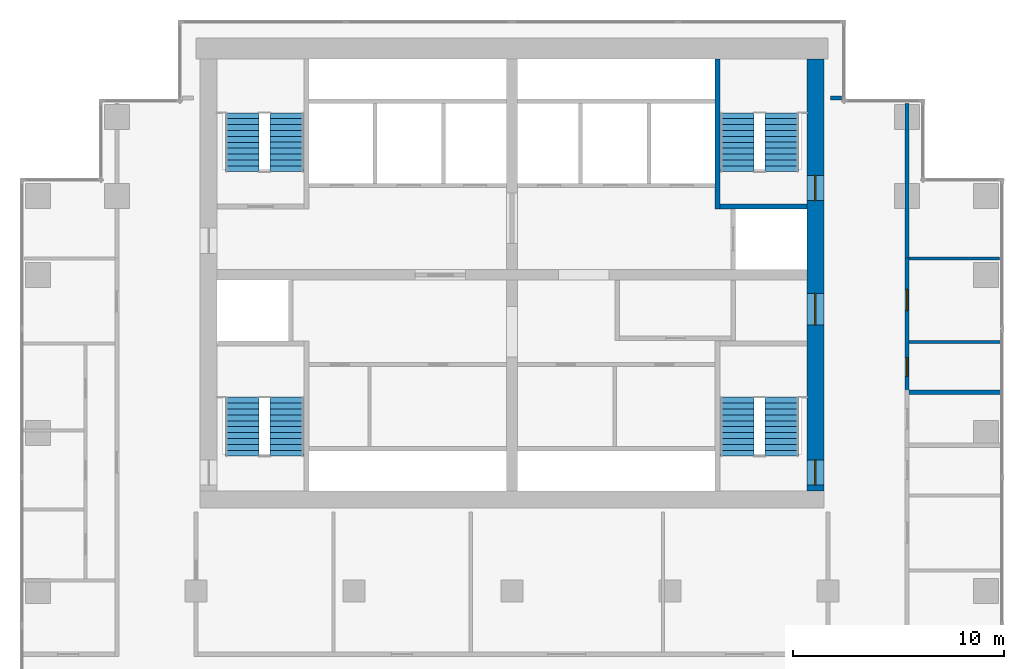
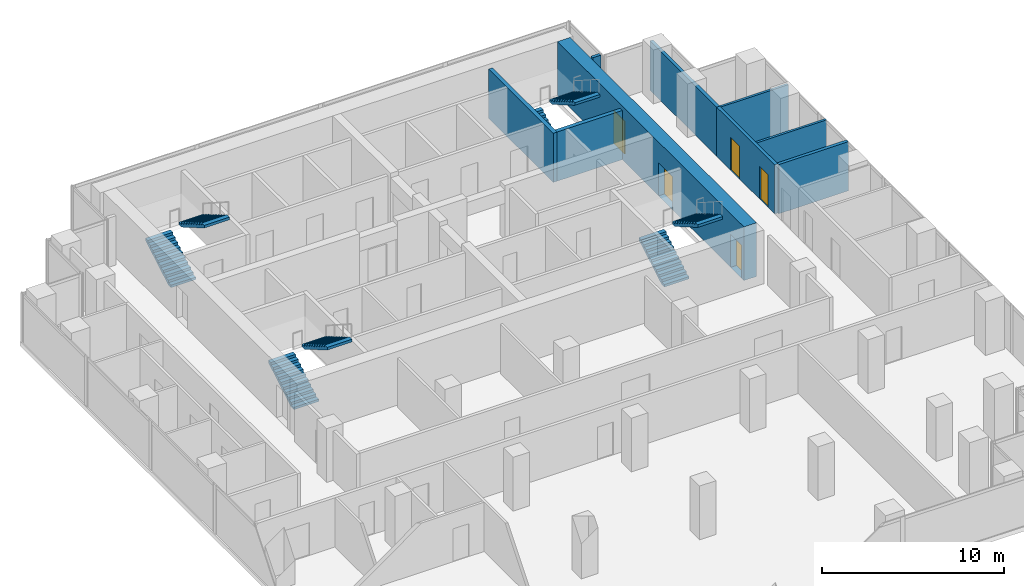
# One storey, part 9 of 10: 9 walls, 8 stair flights, 5 doors, 5 openings, 4 elements without a shape of their own.
"""IFC4 building model written with IfcOpenShell, lengths in metres."""

from ifc_helpers import new_model, si_unit, direction, frame, frame_2d, origin, place, context, subcontext, project, spatial, polyline, rectangle, outline, extrude, material, layer, layer_set, type_object, element, fill, aggregate, save


model = new_model("IFC4")

# Units and contexts
model_context = context("Model", 3, precision=1e-05, world=origin(), true_north=direction((0.0, 1.0)))
body_context = subcontext(model_context, "Body", "Model", "MODEL_VIEW")
ifc_project = project(units=[si_unit("LENGTHUNIT", "METRE"), si_unit("AREAUNIT", "SQUARE_METRE"), si_unit("VOLUMEUNIT", "CUBIC_METRE"), si_unit("PLANEANGLEUNIT", "RADIAN"), si_unit("MASSUNIT", "GRAM", prefix="KILO")], contexts=[model_context])

# Site, building, storey
site_placement = place(None, origin())
site = spatial("IfcSite", under=ifc_project, at=site_placement, CompositionType="ELEMENT")
building_placement = place(site_placement, origin())
building = spatial("IfcBuilding", under=site, at=building_placement, Name="Pilkhan Gate Tower", CompositionType="ELEMENT")
storey_placement = place(building_placement, frame((0.0, 0.0, 154.89990234375)))
storey = spatial("IfcBuildingStorey", under=building, at=storey_placement, Name="L39", CompositionType="ELEMENT", Elevation=154.89990234375)

# Wall, openings, doors
ifc_material_1 = material(Name="Concrete C60/75", Category="concrete")
ifc_layer_1 = layer(ifc_material_1, 0.800048828125)
ifc_layer_set_1 = layer_set([ifc_layer_1], Name="Core wall CW800 C60/75")
wall_type_1 = type_object("IfcWallType", Name="Core wall CW800 C60/75", PredefinedType="SHEAR", material=ifc_layer_set_1)
wall_1_placement = place(storey_placement, frame((89.39990234375, 72.25, 0.0), z_axis=(0.0, 0.0, 1.0), x_axis=(0.0, 1.0, 0.0)))
wall_1 = element("IfcWall", 1, at=wall_1_placement, inside=storey, type_object=wall_type_1, Name="Core wall E L39", PredefinedType="SHEAR", context=body_context, shape_type="SweptSolid", body=[
    extrude(rectangle(XDim=20.5, YDim=0.800048828125, at=frame_2d((10.25, 0.0))), origin(), (0.0, 0.0, 1.0), 3.60009765625),
])
opening_1_placement = place(wall_1_placement, frame((0.27490234375, 0.0, 0.0)))
opening_1 = element("IfcOpeningElement", 2, at=opening_1_placement, cuts=wall_1, Name="Opening L39-03", PredefinedType="OPENING", context=body_context, shape_type="SweptSolid", body=[
    extrude(rectangle(XDim=1.199951171875, YDim=2.199951171875, at=frame_2d((0.60009765625, 1.10009765625))), frame((0.0, 0.409912109375, 0.0), z_axis=(0.0, -1.0, 0.0), x_axis=(1.0, 0.0, 0.0)), (0.0, 0.0, 1.0), 0.820068359375),
])
opening_2_placement = place(wall_1_placement, frame((13.77490234375, 0.0, 0.0)))
opening_2 = element("IfcOpeningElement", 3, at=opening_2_placement, cuts=wall_1, Name="Opening L39-05", PredefinedType="OPENING", context=body_context, shape_type="SweptSolid", body=[
    extrude(rectangle(XDim=1.199951171875, YDim=2.199951171875, at=frame_2d((0.60009765625, 1.10009765625))), frame((0.0, 0.409912109375, 0.0), z_axis=(0.0, -1.0, 0.0), x_axis=(1.0, 0.0, 0.0)), (0.0, 0.0, 1.0), 0.820068359375),
])
opening_3_placement = place(wall_1_placement, frame((7.875, 0.0, 0.0)))
opening_3 = element("IfcOpeningElement", 4, at=opening_3_placement, cuts=wall_1, Name="Opening L39-11", PredefinedType="OPENING", context=body_context, shape_type="SweptSolid", body=[
    extrude(rectangle(XDim=1.5, YDim=2.199951171875, at=frame_2d((0.75, 1.10009765625))), frame((0.0, 0.409912109375, 0.0), z_axis=(0.0, -1.0, 0.0), x_axis=(1.0, 0.0, 0.0)), (0.0, 0.0, 1.0), 0.820068359375),
])
ifc_material_2 = material(Name="Steel framed glazed door, 60 minute fire resisting", Category="steel")
door_type_1 = type_object("IfcDoorType", Name="Lobby door D09 1500x2200", OperationType="DOUBLE_DOOR_SINGLE_SWING", PredefinedType="DOOR", material=ifc_material_2)
door_1_placement = place(opening_3_placement, origin())
door_1 = element("IfcDoor", 5, at=door_1_placement, inside=storey, type_object=door_type_1, Name="Core door", OperationType="DOUBLE_DOOR_SINGLE_SWING", OverallHeight=2.199951171875, OverallWidth=1.5, PredefinedType="DOOR", context=body_context, shape_type="SweptSolid", body=[
    extrude(rectangle(XDim=1.5, YDim=2.199951171875, at=frame_2d((0.75, 1.10009765625))), frame((0.0, 0.02490234375, 0.0), z_axis=(0.0, -1.0, 0.0), x_axis=(1.0, 0.0, 0.0)), (0.0, 0.0, 1.0), 0.050048828125),
])
fill(opening_3, door_1)
ifc_material_3 = material(Name="Steel door, 120 minute fire resisting, panic bar", Category="steel")
door_type_2 = type_object("IfcDoorType", Name="Stair door D11 1200x2200", OperationType="SINGLE_SWING_LEFT", PredefinedType="DOOR", material=ifc_material_3)
door_2_placement = place(opening_1_placement, origin())
door_2 = element("IfcDoor", 6, at=door_2_placement, inside=storey, type_object=door_type_2, Name="Stair ST1 door", OperationType="SINGLE_SWING_LEFT", OverallHeight=2.199951171875, OverallWidth=1.199951171875, PredefinedType="DOOR", context=body_context, shape_type="SweptSolid", body=[
    extrude(rectangle(XDim=1.199951171875, YDim=2.199951171875, at=frame_2d((0.60009765625, 1.10009765625))), frame((0.0, 0.02490234375, 0.0), z_axis=(0.0, -1.0, 0.0), x_axis=(1.0, 0.0, 0.0)), (0.0, 0.0, 1.0), 0.050048828125),
])
fill(opening_1, door_2)
door_3_placement = place(opening_2_placement, origin())
door_3 = element("IfcDoor", 7, at=door_3_placement, inside=storey, type_object=door_type_2, Name="Stair ST4 door", OperationType="SINGLE_SWING_LEFT", OverallHeight=2.199951171875, OverallWidth=1.199951171875, PredefinedType="DOOR", context=body_context, shape_type="SweptSolid", body=[
    extrude(rectangle(XDim=1.199951171875, YDim=2.199951171875, at=frame_2d((0.60009765625, 1.10009765625))), frame((0.0, 0.02490234375, 0.0), z_axis=(0.0, -1.0, 0.0), x_axis=(1.0, 0.0, 0.0)), (0.0, 0.0, 1.0), 0.050048828125),
])
fill(opening_2, door_3)

# Wall
ifc_material_4 = material(Name="Dense blockwork", Category="masonry")
ifc_layer_2 = layer(ifc_material_4, 0.199951171875)
ifc_layer_set_2 = layer_set([ifc_layer_2], Name="Corridor wall FW200")
wall_type_2 = type_object("IfcWallType", Name="Corridor wall FW200", PredefinedType="PARTITIONING", material=ifc_layer_set_2)
wall_2_placement = place(storey_placement, frame((90.1201171875, 90.89990234375, 0.0), z_axis=(0.0, 0.0, 1.0), x_axis=(1.0, 0.0, 0.0)))
element("IfcWall", 8, at=wall_2_placement, inside=storey, type_object=wall_type_2, Name="Partition L39", PredefinedType="PARTITIONING", context=body_context, shape_type="SweptSolid", body=[
    extrude(rectangle(XDim=0.52490234375, YDim=0.199951171875, at=frame_2d((0.262451171875, 0.0))), origin(), (0.0, 0.0, 1.0), 3.300048828125),
])

# Wall, openings, doors
wall_3_placement = place(storey_placement, frame((93.75, 76.931884765625, 0.0), z_axis=(0.0, 0.0, 1.0), x_axis=(0.0, 1.0, 0.0)))
wall_3 = element("IfcWall", 9, at=wall_3_placement, inside=storey, type_object=wall_type_2, Name="Partition L39", PredefinedType="PARTITIONING", context=body_context, shape_type="SweptSolid", body=[
    extrude(rectangle(XDim=6.423095703125, YDim=0.199951171875, at=frame_2d((3.21142578125, 0.0))), origin(), (0.0, 0.0, 1.0), 3.300048828125),
])
opening_4_placement = place(wall_3_placement, frame((0.75, 0.0, 0.0)))
opening_4 = element("IfcOpeningElement", 10, at=opening_4_placement, cuts=wall_3, Name="Opening L39-29", PredefinedType="OPENING", context=body_context, shape_type="SweptSolid", body=[
    extrude(rectangle(XDim=0.89990234375, YDim=2.199951171875, at=frame_2d((0.449951171875, 1.10009765625))), frame((0.0, 0.10986328125, 0.0), z_axis=(0.0, -1.0, 0.0), x_axis=(1.0, 0.0, 0.0)), (0.0, 0.0, 1.0), 0.219970703125),
])
opening_5_placement = place(wall_3_placement, frame((3.8798828125, 0.0, 0.0)))
opening_5 = element("IfcOpeningElement", 11, at=opening_5_placement, cuts=wall_3, Name="Opening L39-30", PredefinedType="OPENING", context=body_context, shape_type="SweptSolid", body=[
    extrude(rectangle(XDim=1.0, YDim=2.199951171875, at=frame_2d((0.5, 1.10009765625))), frame((0.0, 0.10986328125, 0.0), z_axis=(0.0, -1.0, 0.0), x_axis=(1.0, 0.0, 0.0)), (0.0, 0.0, 1.0), 0.219970703125),
])
ifc_material_5 = material(Name="Timber flush door, 30 minute fire resisting", Category="wood")
door_type_3 = type_object("IfcDoorType", Name="Room door D03 1000x2200", OperationType="SINGLE_SWING_LEFT", PredefinedType="DOOR", material=ifc_material_5)
door_4_placement = place(opening_5_placement, origin())
door_4 = element("IfcDoor", 12, at=door_4_placement, inside=storey, type_object=door_type_3, Name="Room door", OperationType="SINGLE_SWING_LEFT", OverallHeight=2.199951171875, OverallWidth=1.0, PredefinedType="DOOR", context=body_context, shape_type="SweptSolid", body=[
    extrude(rectangle(XDim=1.0, YDim=2.199951171875, at=frame_2d((0.5, 1.10009765625))), frame((0.0, 0.02490234375, 0.0), z_axis=(0.0, -1.0, 0.0), x_axis=(1.0, 0.0, 0.0)), (0.0, 0.0, 1.0), 0.050048828125),
])
fill(opening_5, door_4)
ifc_material_6 = material(Name="Timber flush door, 60 minute fire resisting, self-closing", Category="wood")
door_type_4 = type_object("IfcDoorType", Name="Store door D05 900x2200", OperationType="SINGLE_SWING_LEFT", PredefinedType="DOOR", material=ifc_material_6)
door_5_placement = place(opening_4_placement, origin())
door_5 = element("IfcDoor", 13, at=door_5_placement, inside=storey, type_object=door_type_4, Name="Store door", OperationType="SINGLE_SWING_LEFT", OverallHeight=2.199951171875, OverallWidth=0.89990234375, PredefinedType="DOOR", context=body_context, shape_type="SweptSolid", body=[
    extrude(rectangle(XDim=0.89990234375, YDim=2.199951171875, at=frame_2d((0.449951171875, 1.10009765625))), frame((0.0, 0.02490234375, 0.0), z_axis=(0.0, -1.0, 0.0), x_axis=(1.0, 0.0, 0.0)), (0.0, 0.0, 1.0), 0.050048828125),
])
fill(opening_4, door_5)

# Walls
wall_4_placement = place(storey_placement, frame((93.75, 83.31005859375, 0.0), z_axis=(0.0, 0.0, 1.0), x_axis=(0.0, 1.0, 0.0)))
element("IfcWall", 14, at=wall_4_placement, inside=storey, type_object=wall_type_2, Name="Partition L39", PredefinedType="PARTITIONING", context=body_context, shape_type="SweptSolid", body=[
    extrude(rectangle(XDim=7.3349609375, YDim=0.199951171875, at=frame_2d((3.66748046875, 0.0))), origin(), (0.0, 0.0, 1.0), 3.300048828125),
])
ifc_layer_3 = layer(ifc_material_4, 0.199951171875)
ifc_layer_set_3 = layer_set([ifc_layer_3], Name="Lobby wall LW200")
wall_type_3 = type_object("IfcWallType", Name="Lobby wall LW200", PredefinedType="PARTITIONING", material=ifc_layer_set_3)
wall_5_placement = place(storey_placement, frame((93.85009765625, 76.931884765625, 0.0), z_axis=(0.0, 0.0, 1.0), x_axis=(1.0, 0.0, 0.0)))
element("IfcWall", 15, at=wall_5_placement, inside=storey, type_object=wall_type_3, Name="Partition L39", PredefinedType="PARTITIONING", context=body_context, shape_type="SweptSolid", body=[
    extrude(rectangle(XDim=4.414794921875, YDim=0.199951171875, at=frame_2d((2.20751953125, 0.0))), origin(), (0.0, 0.0, 1.0), 3.300048828125),
])
ifc_material_7 = material(Name="Blockwork partition, plastered both sides", Category="masonry")
ifc_layer_4 = layer(ifc_material_7, 0.14990234375)
ifc_layer_set_4 = layer_set([ifc_layer_4], Name="Partition PW150")
wall_type_4 = type_object("IfcWallType", Name="Partition PW150", PredefinedType="PARTITIONING", material=ifc_layer_set_4)
wall_6_placement = place(storey_placement, frame((93.85009765625, 79.31201171875, 0.0), z_axis=(0.0, 0.0, 1.0), x_axis=(1.0, 0.0, 0.0)))
element("IfcWall", 16, at=wall_6_placement, inside=storey, type_object=wall_type_4, Name="Partition L39", PredefinedType="PARTITIONING", context=body_context, shape_type="SweptSolid", body=[
    extrude(rectangle(XDim=4.414794921875, YDim=0.14990234375, at=frame_2d((2.20751953125, 0.0))), origin(), (0.0, 0.0, 1.0), 3.300048828125),
])
wall_7_placement = place(storey_placement, frame((93.85009765625, 83.280029296875, 0.0), z_axis=(0.0, 0.0, 1.0), x_axis=(1.0, 0.0, 0.0)))
element("IfcWall", 17, at=wall_7_placement, inside=storey, type_object=wall_type_4, Name="Partition L39", PredefinedType="PARTITIONING", context=body_context, shape_type="SweptSolid", body=[
    extrude(rectangle(XDim=4.294921875, YDim=0.14990234375, at=frame_2d((2.1474609375, 0.0))), origin(), (0.0, 0.0, 1.0), 3.300048828125),
])
ifc_material_8 = material(Name="Reinforced blockwork, 120 minute fire resisting", Category="masonry")
ifc_layer_5 = layer(ifc_material_8, 0.25)
ifc_layer_set_5 = layer_set([ifc_layer_5], Name="Stair enclosure wall SE250")
wall_type_5 = type_object("IfcWallType", Name="Stair enclosure wall SE250", PredefinedType="PARTITIONING", material=ifc_layer_set_5)
wall_8_placement = place(storey_placement, frame((84.875, 85.75, 0.0), z_axis=(0.0, 0.0, 1.0), x_axis=(1.0, 0.0, 0.0)))
element("IfcWall", 18, at=wall_8_placement, inside=storey, type_object=wall_type_5, Name="Partition L39", PredefinedType="PARTITIONING", context=body_context, shape_type="SweptSolid", body=[
    extrude(rectangle(XDim=4.125, YDim=0.25, at=frame_2d((2.0625, 0.0))), origin(), (0.0, 0.0, 1.0), 3.300048828125),
])
wall_9_placement = place(storey_placement, frame((84.75, 85.625, 0.0), z_axis=(0.0, 0.0, 1.0), x_axis=(0.0, 1.0, 0.0)))
element("IfcWall", 19, at=wall_9_placement, inside=storey, type_object=wall_type_5, Name="Partition L39", PredefinedType="PARTITIONING", context=body_context, shape_type="SweptSolid", body=[
    extrude(rectangle(XDim=7.114990234375, YDim=0.25, at=frame_2d((3.5576171875, 0.0))), origin(), (0.0, 0.0, 1.0), 3.300048828125),
])

# Stair, stair flights
ifc_material_9 = material(Name="Concrete C40/50 precast", Category="concrete")
stair_type_1 = type_object("IfcStairType", Name="Stair ST1 164x280", PredefinedType="HALF_TURN_STAIR", material=ifc_material_9)
stair_1_placement = place(storey_placement, origin())
stair_1 = element("IfcStair", 20, at=stair_1_placement, inside=storey, type_object=stair_type_1, Name="Stair ST1 L39", PredefinedType="HALF_TURN_STAIR")
stair_flight_type_1 = type_object("IfcStairFlightType", Name="Stair flight ST1 164x280x11", PredefinedType="STRAIGHT", material=ifc_material_9)
stair_flight_1_placement = place(storey_placement, frame((85.68994140625, 73.89990234375, 0.0), z_axis=(0.0, 0.0, 1.0), x_axis=(0.0, 1.0, 0.0)))
stair_flight_1 = element("IfcStairFlight", 21, at=stair_flight_1_placement, type_object=stair_flight_type_1, Name="ST1 flight 1", NumberOfRisers=11, NumberOfTreads=10, PredefinedType="STRAIGHT", RiserHeight=0.163636364, TreadLength=0.28, context=body_context, shape_type="SweptSolid", body=[
    extrude(outline(polyline([(0.0, 0.0), (0.0, 0.16357421875), (0.280029296875, 0.16357421875), (0.280029296875, 0.327392578125), (0.56005859375, 0.327392578125), (0.56005859375, 0.490966796875), (0.840087890625, 0.490966796875), (0.840087890625, 0.654541015625), (1.1201171875, 0.654541015625), (1.1201171875, 0.818115234375), (1.39990234375, 0.818115234375), (1.39990234375, 0.98193359375), (1.679931640625, 0.98193359375), (1.679931640625, 1.1455078125), (1.9599609375, 1.1455078125), (1.9599609375, 1.30908203125), (2.239990234375, 1.30908203125), (2.239990234375, 1.47265625), (2.52001953125, 1.47265625), (2.52001953125, 1.636474609375), (2.800048828125, 1.636474609375), (2.800048828125, 1.800048828125), (2.800048828125, 1.462646484375), (0.297119140625, 0.0), (0.0, 0.0)])), frame((0.0, 0.7900390625, 0.0), z_axis=(0.0, -1.0, 0.0), x_axis=(1.0, 0.0, 0.0)), (0.0, 0.0, 1.0), 1.580078125),
])
stair_flight_2_placement = place(storey_placement, frame((87.81005859375, 76.699951171875, 1.800048828125), z_axis=(0.0, 0.0, 1.0), x_axis=(0.0, -1.0, 0.0)))
stair_flight_2 = element("IfcStairFlight", 22, at=stair_flight_2_placement, type_object=stair_flight_type_1, Name="ST1 flight 2", NumberOfRisers=11, NumberOfTreads=10, PredefinedType="STRAIGHT", RiserHeight=0.163636364, TreadLength=0.28, context=body_context, shape_type="SweptSolid", body=[
    extrude(outline(polyline([(0.0, 0.0), (0.0, 0.16357421875), (0.280029296875, 0.16357421875), (0.280029296875, 0.327392578125), (0.56005859375, 0.327392578125), (0.56005859375, 0.490966796875), (0.840087890625, 0.490966796875), (0.840087890625, 0.654541015625), (1.1201171875, 0.654541015625), (1.1201171875, 0.818115234375), (1.39990234375, 0.818115234375), (1.39990234375, 0.98193359375), (1.679931640625, 0.98193359375), (1.679931640625, 1.1455078125), (1.9599609375, 1.1455078125), (1.9599609375, 1.30908203125), (2.239990234375, 1.30908203125), (2.239990234375, 1.47265625), (2.52001953125, 1.47265625), (2.52001953125, 1.636474609375), (2.800048828125, 1.636474609375), (2.800048828125, 1.800048828125), (2.800048828125, 1.462646484375), (0.297119140625, 0.0), (0.0, 0.0)])), frame((0.0, 0.7900390625, 0.0), z_axis=(0.0, -1.0, 0.0), x_axis=(1.0, 0.0, 0.0)), (0.0, 0.0, 1.0), 1.580078125),
])
aggregate(stair_1, [stair_flight_1, stair_flight_2])

stair_type_2 = type_object("IfcStairType", Name="Stair ST2 164x280", PredefinedType="HALF_TURN_STAIR", material=ifc_material_9)
stair_2_placement = place(storey_placement, origin())
stair_2 = element("IfcStair", 23, at=stair_2_placement, inside=storey, type_object=stair_type_2, Name="Stair ST2 L39", PredefinedType="HALF_TURN_STAIR")
stair_flight_type_2 = type_object("IfcStairFlightType", Name="Stair flight ST2 164x280x11", PredefinedType="STRAIGHT", material=ifc_material_9)
stair_flight_3_placement = place(storey_placement, frame((62.18994140625, 73.89990234375, 0.0), z_axis=(0.0, 0.0, 1.0), x_axis=(0.0, 1.0, 0.0)))
stair_flight_3 = element("IfcStairFlight", 24, at=stair_flight_3_placement, type_object=stair_flight_type_2, Name="ST2 flight 1", NumberOfRisers=11, NumberOfTreads=10, PredefinedType="STRAIGHT", RiserHeight=0.163636364, TreadLength=0.28, context=body_context, shape_type="SweptSolid", body=[
    extrude(outline(polyline([(0.0, 0.0), (0.0, 0.16357421875), (0.280029296875, 0.16357421875), (0.280029296875, 0.327392578125), (0.56005859375, 0.327392578125), (0.56005859375, 0.490966796875), (0.840087890625, 0.490966796875), (0.840087890625, 0.654541015625), (1.1201171875, 0.654541015625), (1.1201171875, 0.818115234375), (1.39990234375, 0.818115234375), (1.39990234375, 0.98193359375), (1.679931640625, 0.98193359375), (1.679931640625, 1.1455078125), (1.9599609375, 1.1455078125), (1.9599609375, 1.30908203125), (2.239990234375, 1.30908203125), (2.239990234375, 1.47265625), (2.52001953125, 1.47265625), (2.52001953125, 1.636474609375), (2.800048828125, 1.636474609375), (2.800048828125, 1.800048828125), (2.800048828125, 1.462646484375), (0.297119140625, 0.0), (0.0, 0.0)])), frame((0.0, 0.7900390625, 0.0), z_axis=(0.0, -1.0, 0.0), x_axis=(1.0, 0.0, 0.0)), (0.0, 0.0, 1.0), 1.580078125),
])
stair_flight_4_placement = place(storey_placement, frame((64.31005859375, 76.699951171875, 1.800048828125), z_axis=(0.0, 0.0, 1.0), x_axis=(0.0, -1.0, 0.0)))
stair_flight_4 = element("IfcStairFlight", 25, at=stair_flight_4_placement, type_object=stair_flight_type_2, Name="ST2 flight 2", NumberOfRisers=11, NumberOfTreads=10, PredefinedType="STRAIGHT", RiserHeight=0.163636364, TreadLength=0.28, context=body_context, shape_type="SweptSolid", body=[
    extrude(outline(polyline([(0.0, 0.0), (0.0, 0.16357421875), (0.280029296875, 0.16357421875), (0.280029296875, 0.327392578125), (0.56005859375, 0.327392578125), (0.56005859375, 0.490966796875), (0.840087890625, 0.490966796875), (0.840087890625, 0.654541015625), (1.1201171875, 0.654541015625), (1.1201171875, 0.818115234375), (1.39990234375, 0.818115234375), (1.39990234375, 0.98193359375), (1.679931640625, 0.98193359375), (1.679931640625, 1.1455078125), (1.9599609375, 1.1455078125), (1.9599609375, 1.30908203125), (2.239990234375, 1.30908203125), (2.239990234375, 1.47265625), (2.52001953125, 1.47265625), (2.52001953125, 1.636474609375), (2.800048828125, 1.636474609375), (2.800048828125, 1.800048828125), (2.800048828125, 1.462646484375), (0.297119140625, 0.0), (0.0, 0.0)])), frame((0.0, 0.7900390625, 0.0), z_axis=(0.0, -1.0, 0.0), x_axis=(1.0, 0.0, 0.0)), (0.0, 0.0, 1.0), 1.580078125),
])
aggregate(stair_2, [stair_flight_3, stair_flight_4])

stair_type_3 = type_object("IfcStairType", Name="Stair ST3 164x280", PredefinedType="HALF_TURN_STAIR", material=ifc_material_9)
stair_3_placement = place(storey_placement, origin())
stair_3 = element("IfcStair", 26, at=stair_3_placement, inside=storey, type_object=stair_type_3, Name="Stair ST3 L39", PredefinedType="HALF_TURN_STAIR")
stair_flight_type_3 = type_object("IfcStairFlightType", Name="Stair flight ST3 164x280x11", PredefinedType="STRAIGHT", material=ifc_material_9)
stair_flight_5_placement = place(storey_placement, frame((62.18994140625, 87.39990234375, 0.0), z_axis=(0.0, 0.0, 1.0), x_axis=(0.0, 1.0, 0.0)))
stair_flight_5 = element("IfcStairFlight", 27, at=stair_flight_5_placement, type_object=stair_flight_type_3, Name="ST3 flight 1", NumberOfRisers=11, NumberOfTreads=10, PredefinedType="STRAIGHT", RiserHeight=0.163636364, TreadLength=0.28, context=body_context, shape_type="SweptSolid", body=[
    extrude(outline(polyline([(0.0, 0.0), (0.0, 0.16357421875), (0.280029296875, 0.16357421875), (0.280029296875, 0.327392578125), (0.56005859375, 0.327392578125), (0.56005859375, 0.490966796875), (0.840087890625, 0.490966796875), (0.840087890625, 0.654541015625), (1.1201171875, 0.654541015625), (1.1201171875, 0.818115234375), (1.39990234375, 0.818115234375), (1.39990234375, 0.98193359375), (1.679931640625, 0.98193359375), (1.679931640625, 1.1455078125), (1.9599609375, 1.1455078125), (1.9599609375, 1.30908203125), (2.239990234375, 1.30908203125), (2.239990234375, 1.47265625), (2.52001953125, 1.47265625), (2.52001953125, 1.636474609375), (2.800048828125, 1.636474609375), (2.800048828125, 1.800048828125), (2.800048828125, 1.462646484375), (0.297119140625, 0.0), (0.0, 0.0)])), frame((0.0, 0.7900390625, 0.0), z_axis=(0.0, -1.0, 0.0), x_axis=(1.0, 0.0, 0.0)), (0.0, 0.0, 1.0), 1.580078125),
])
stair_flight_6_placement = place(storey_placement, frame((64.31005859375, 90.199951171875, 1.800048828125), z_axis=(0.0, 0.0, 1.0), x_axis=(0.0, -1.0, 0.0)))
stair_flight_6 = element("IfcStairFlight", 28, at=stair_flight_6_placement, type_object=stair_flight_type_3, Name="ST3 flight 2", NumberOfRisers=11, NumberOfTreads=10, PredefinedType="STRAIGHT", RiserHeight=0.163636364, TreadLength=0.28, context=body_context, shape_type="SweptSolid", body=[
    extrude(outline(polyline([(0.0, 0.0), (0.0, 0.16357421875), (0.280029296875, 0.16357421875), (0.280029296875, 0.327392578125), (0.56005859375, 0.327392578125), (0.56005859375, 0.490966796875), (0.840087890625, 0.490966796875), (0.840087890625, 0.654541015625), (1.1201171875, 0.654541015625), (1.1201171875, 0.818115234375), (1.39990234375, 0.818115234375), (1.39990234375, 0.98193359375), (1.679931640625, 0.98193359375), (1.679931640625, 1.1455078125), (1.9599609375, 1.1455078125), (1.9599609375, 1.30908203125), (2.239990234375, 1.30908203125), (2.239990234375, 1.47265625), (2.52001953125, 1.47265625), (2.52001953125, 1.636474609375), (2.800048828125, 1.636474609375), (2.800048828125, 1.800048828125), (2.800048828125, 1.462646484375), (0.297119140625, 0.0), (0.0, 0.0)])), frame((0.0, 0.7900390625, 0.0), z_axis=(0.0, -1.0, 0.0), x_axis=(1.0, 0.0, 0.0)), (0.0, 0.0, 1.0), 1.580078125),
])
aggregate(stair_3, [stair_flight_5, stair_flight_6])

stair_type_4 = type_object("IfcStairType", Name="Stair ST4 164x280", PredefinedType="HALF_TURN_STAIR", material=ifc_material_9)
stair_4_placement = place(storey_placement, origin())
stair_4 = element("IfcStair", 29, at=stair_4_placement, inside=storey, type_object=stair_type_4, Name="Stair ST4 L39", PredefinedType="HALF_TURN_STAIR")
stair_flight_type_4 = type_object("IfcStairFlightType", Name="Stair flight ST4 164x280x11", PredefinedType="STRAIGHT", material=ifc_material_9)
stair_flight_7_placement = place(storey_placement, frame((85.68994140625, 87.39990234375, 0.0), z_axis=(0.0, 0.0, 1.0), x_axis=(0.0, 1.0, 0.0)))
stair_flight_7 = element("IfcStairFlight", 30, at=stair_flight_7_placement, type_object=stair_flight_type_4, Name="ST4 flight 1", NumberOfRisers=11, NumberOfTreads=10, PredefinedType="STRAIGHT", RiserHeight=0.163636364, TreadLength=0.28, context=body_context, shape_type="SweptSolid", body=[
    extrude(outline(polyline([(0.0, 0.0), (0.0, 0.16357421875), (0.280029296875, 0.16357421875), (0.280029296875, 0.327392578125), (0.56005859375, 0.327392578125), (0.56005859375, 0.490966796875), (0.840087890625, 0.490966796875), (0.840087890625, 0.654541015625), (1.1201171875, 0.654541015625), (1.1201171875, 0.818115234375), (1.39990234375, 0.818115234375), (1.39990234375, 0.98193359375), (1.679931640625, 0.98193359375), (1.679931640625, 1.1455078125), (1.9599609375, 1.1455078125), (1.9599609375, 1.30908203125), (2.239990234375, 1.30908203125), (2.239990234375, 1.47265625), (2.52001953125, 1.47265625), (2.52001953125, 1.636474609375), (2.800048828125, 1.636474609375), (2.800048828125, 1.800048828125), (2.800048828125, 1.462646484375), (0.297119140625, 0.0), (0.0, 0.0)])), frame((0.0, 0.7900390625, 0.0), z_axis=(0.0, -1.0, 0.0), x_axis=(1.0, 0.0, 0.0)), (0.0, 0.0, 1.0), 1.580078125),
])
stair_flight_8_placement = place(storey_placement, frame((87.81005859375, 90.199951171875, 1.800048828125), z_axis=(0.0, 0.0, 1.0), x_axis=(0.0, -1.0, 0.0)))
stair_flight_8 = element("IfcStairFlight", 31, at=stair_flight_8_placement, type_object=stair_flight_type_4, Name="ST4 flight 2", NumberOfRisers=11, NumberOfTreads=10, PredefinedType="STRAIGHT", RiserHeight=0.163636364, TreadLength=0.28, context=body_context, shape_type="SweptSolid", body=[
    extrude(outline(polyline([(0.0, 0.0), (0.0, 0.16357421875), (0.280029296875, 0.16357421875), (0.280029296875, 0.327392578125), (0.56005859375, 0.327392578125), (0.56005859375, 0.490966796875), (0.840087890625, 0.490966796875), (0.840087890625, 0.654541015625), (1.1201171875, 0.654541015625), (1.1201171875, 0.818115234375), (1.39990234375, 0.818115234375), (1.39990234375, 0.98193359375), (1.679931640625, 0.98193359375), (1.679931640625, 1.1455078125), (1.9599609375, 1.1455078125), (1.9599609375, 1.30908203125), (2.239990234375, 1.30908203125), (2.239990234375, 1.47265625), (2.52001953125, 1.47265625), (2.52001953125, 1.636474609375), (2.800048828125, 1.636474609375), (2.800048828125, 1.800048828125), (2.800048828125, 1.462646484375), (0.297119140625, 0.0), (0.0, 0.0)])), frame((0.0, 0.7900390625, 0.0), z_axis=(0.0, -1.0, 0.0), x_axis=(1.0, 0.0, 0.0)), (0.0, 0.0, 1.0), 1.580078125),
])
aggregate(stair_4, [stair_flight_7, stair_flight_8])

save(model, "model.ifc")
